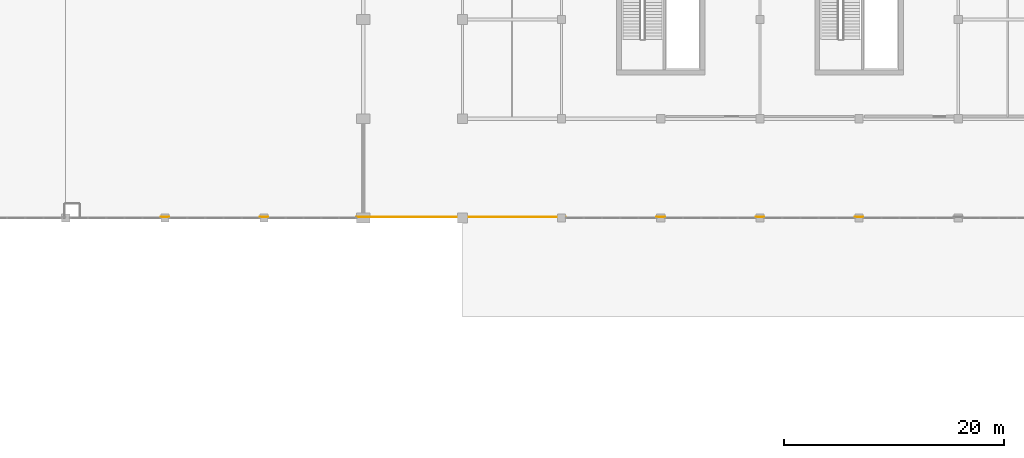
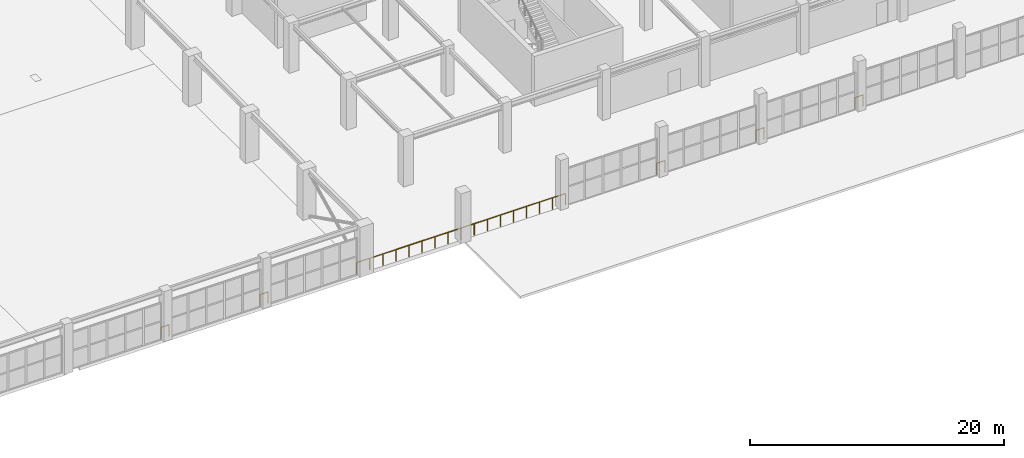
# One storey, part 72 of 89: 6 railings.
"""IFC4 building model written with IfcOpenShell, lengths in metres."""

from ifc_helpers import new_model, si_unit, direction, frame, origin, origin_2d, place, context, subcontext, project, spatial, circle, extrude, material, type_object, element, save


model = new_model("IFC4")

# Units and contexts
model_context = context("Model", 3, precision=1e-05, world=origin(), true_north=direction((0.0, 1.0)))
body_context = subcontext(model_context, "Body", "Model", "MODEL_VIEW")
ifc_project = project(units=[si_unit("LENGTHUNIT", "METRE"), si_unit("AREAUNIT", "SQUARE_METRE"), si_unit("VOLUMEUNIT", "CUBIC_METRE"), si_unit("PLANEANGLEUNIT", "RADIAN"), si_unit("MASSUNIT", "GRAM", prefix="KILO")], contexts=[model_context])

# Site, building, storey
site_placement = place(None, origin())
site = spatial("IfcSite", under=ifc_project, at=site_placement, CompositionType="ELEMENT")
building_placement = place(site_placement, origin())
building = spatial("IfcBuilding", under=site, at=building_placement, Name="Dornveld Trade and Exhibition Forum", CompositionType="ELEMENT")
storey_placement = place(building_placement, frame((0.0, 0.0, 12.0)))
storey = spatial("IfcBuildingStorey", under=building, at=storey_placement, Name="L02", CompositionType="ELEMENT", Elevation=12.0)

# Railings
ifc_material = material(Name="Dark-bronze steel and laminated glass balustrade", Category="steel")
railing_type = type_object("IfcRailingType", Name="RL-BALUST-CONC", PredefinedType="BALUSTRADE", material=ifc_material)
for number, where, name in (
    (1, (126.37109375, 36.10009765625, 0.0), "L02 deck edge balustrade 144"),
    (2, (117.37109375, 36.10009765625, 0.0), "L02 deck edge balustrade 145"),
    (3, (108.37109375, 36.10009765625, 0.0), "L02 deck edge balustrade 146"),
):
    element("IfcRailing", number, at=place(storey_placement, frame(where)), inside=storey, type_object=railing_type, Name=name, PredefinedType="BALUSTRADE", context=body_context, shape_type="SweptSolid", body=[
        extrude(circle(Radius=0.02490234375, at=origin_2d()), frame((0.0, 0.0, 1.09521484375), z_axis=(-1.0, 0.0, 0.0), x_axis=(0.0, -1.0, 0.0)), (0.0, 0.0, 1.0), 0.7421875),
        extrude(circle(Radius=0.02099609375, at=origin_2d()), origin(), (0.0, 0.0, 1.0), 1.070068359375),
        extrude(circle(Radius=0.02099609375, at=origin_2d()), frame((-0.7421875, 0.0, 0.0)), (0.0, 0.0, 1.0), 1.070068359375),
    ])
railing_placement = place(storey_placement, frame((99.37109375, 36.10009765625, 0.0)))
element("IfcRailing", 4, at=railing_placement, inside=storey, type_object=railing_type, Name="L02 deck edge balustrade 147", PredefinedType="BALUSTRADE", context=body_context, shape_type="SweptSolid", body=[
    extrude(circle(Radius=0.02490234375, at=origin_2d()), frame((0.0, 0.0, 1.09521484375), z_axis=(-1.0, 0.0, 0.0), x_axis=(0.0, -1.0, 0.0)), (0.0, 0.0, 1.0), 18.967041015625),
    extrude(circle(Radius=0.02099609375, at=origin_2d()), origin(), (0.0, 0.0, 1.0), 1.070068359375),
    extrude(circle(Radius=0.02099609375, at=origin_2d()), frame((-1.185546875, 0.0, 0.0)), (0.0, 0.0, 1.0), 1.070068359375),
    extrude(circle(Radius=0.02099609375, at=origin_2d()), frame((-2.370849609375, 0.0, 0.0)), (0.0, 0.0, 1.0), 1.070068359375),
    extrude(circle(Radius=0.02099609375, at=origin_2d()), frame((-3.556396484375, 0.0, 0.0)), (0.0, 0.0, 1.0), 1.070068359375),
    extrude(circle(Radius=0.02099609375, at=origin_2d()), frame((-4.74169921875, 0.0, 0.0)), (0.0, 0.0, 1.0), 1.070068359375),
    extrude(circle(Radius=0.02099609375, at=origin_2d()), frame((-5.92724609375, 0.0, 0.0)), (0.0, 0.0, 1.0), 1.070068359375),
    extrude(circle(Radius=0.02099609375, at=origin_2d()), frame((-7.112548828125, 0.0, 0.0)), (0.0, 0.0, 1.0), 1.070068359375),
    extrude(circle(Radius=0.02099609375, at=origin_2d()), frame((-8.298095703125, 0.0, 0.0)), (0.0, 0.0, 1.0), 1.070068359375),
    extrude(circle(Radius=0.02099609375, at=origin_2d()), frame((-9.4833984375, 0.0, 0.0)), (0.0, 0.0, 1.0), 1.070068359375),
    extrude(circle(Radius=0.02099609375, at=origin_2d()), frame((-10.6689453125, 0.0, 0.0)), (0.0, 0.0, 1.0), 1.070068359375),
    extrude(circle(Radius=0.02099609375, at=origin_2d()), frame((-11.8544921875, 0.0, 0.0)), (0.0, 0.0, 1.0), 1.070068359375),
    extrude(circle(Radius=0.02099609375, at=origin_2d()), frame((-13.039794921875, 0.0, 0.0)), (0.0, 0.0, 1.0), 1.070068359375),
    extrude(circle(Radius=0.02099609375, at=origin_2d()), frame((-14.225341796875, 0.0, 0.0)), (0.0, 0.0, 1.0), 1.070068359375),
    extrude(circle(Radius=0.02099609375, at=origin_2d()), frame((-15.41064453125, 0.0, 0.0)), (0.0, 0.0, 1.0), 1.070068359375),
    extrude(circle(Radius=0.02099609375, at=origin_2d()), frame((-16.59619140625, 0.0, 0.0)), (0.0, 0.0, 1.0), 1.070068359375),
    extrude(circle(Radius=0.02099609375, at=origin_2d()), frame((-17.781494140625, 0.0, 0.0)), (0.0, 0.0, 1.0), 1.070068359375),
    extrude(circle(Radius=0.02099609375, at=origin_2d()), frame((-18.967041015625, 0.0, 0.0)), (0.0, 0.0, 1.0), 1.070068359375),
])
for number, where, name in (
    (5, (72.37109375, 36.10009765625, 0.0), "L02 deck edge balustrade 148"),
    (6, (63.37109375, 36.10009765625, 0.0), "L02 deck edge balustrade 149"),
):
    element("IfcRailing", number, at=place(storey_placement, frame(where)), inside=storey, type_object=railing_type, Name=name, PredefinedType="BALUSTRADE", context=body_context, shape_type="SweptSolid", body=[
        extrude(circle(Radius=0.02490234375, at=origin_2d()), frame((0.0, 0.0, 1.09521484375), z_axis=(-1.0, 0.0, 0.0), x_axis=(0.0, -1.0, 0.0)), (0.0, 0.0, 1.0), 0.7421875),
        extrude(circle(Radius=0.02099609375, at=origin_2d()), origin(), (0.0, 0.0, 1.0), 1.070068359375),
        extrude(circle(Radius=0.02099609375, at=origin_2d()), frame((-0.7421875, 0.0, 0.0)), (0.0, 0.0, 1.0), 1.070068359375),
    ])

save(model, "model.ifc")
